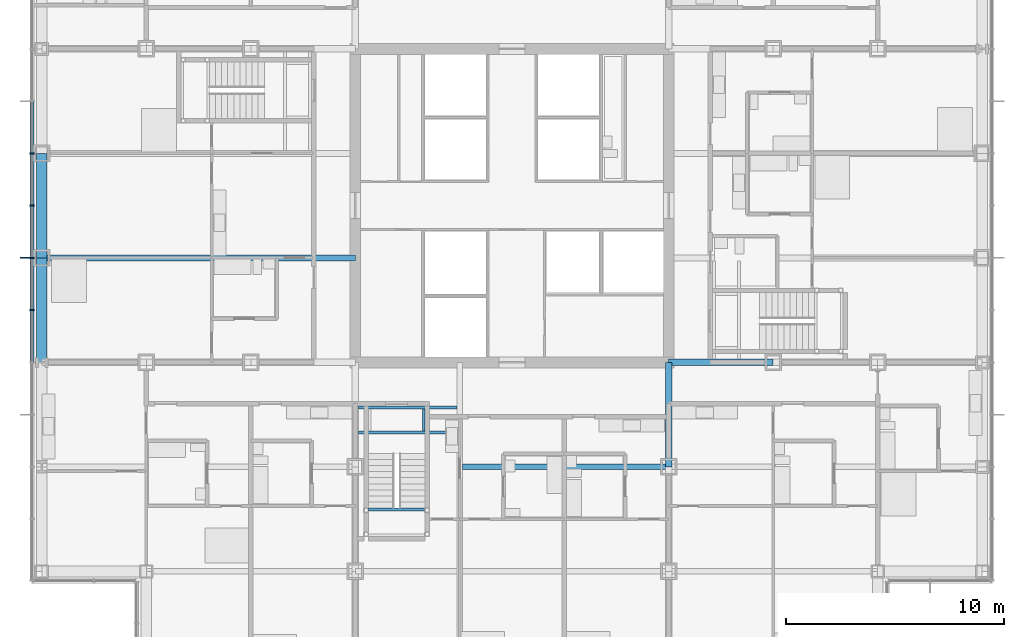
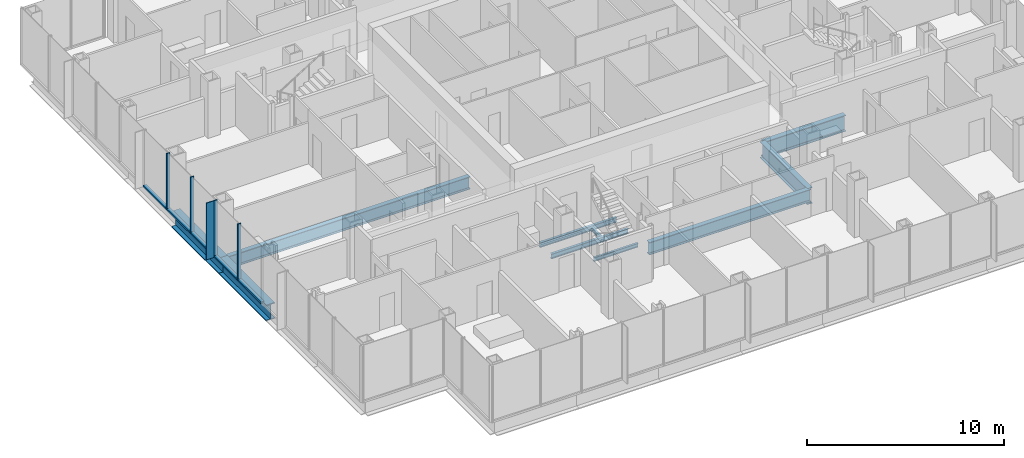
# One storey, part 7 of 21: 10 beams, 10 members, 1 element without a shape of its own.
"""IFC4 building model written with IfcOpenShell, lengths in metres."""

from ifc_helpers import new_model, si_unit, direction, frame, origin, origin_2d, place, context, subcontext, project, spatial, rectangle, i_section, extrude, material, material_profile, profile_set, type_object, element, aggregate, save


model = new_model("IFC4")

# Units and contexts
model_context = context("Model", 3, precision=1e-05, world=origin(), true_north=direction((0.0, 1.0)))
body_context = subcontext(model_context, "Body", "Model", "MODEL_VIEW")
ifc_project = project(units=[si_unit("LENGTHUNIT", "METRE"), si_unit("AREAUNIT", "SQUARE_METRE"), si_unit("VOLUMEUNIT", "CUBIC_METRE"), si_unit("PLANEANGLEUNIT", "RADIAN"), si_unit("MASSUNIT", "GRAM", prefix="KILO")], contexts=[model_context])

# Site, building, storey
site_placement = place(None, origin())
site = spatial("IfcSite", under=ifc_project, at=site_placement, CompositionType="ELEMENT")
building_placement = place(site_placement, origin())
building = spatial("IfcBuilding", under=site, at=building_placement, Name="Kvirike Care Tower", CompositionType="ELEMENT")
storey_placement = place(building_placement, frame((0.0, 0.0, 41.0)))
storey = spatial("IfcBuildingStorey", under=building, at=storey_placement, Name="L10", CompositionType="ELEMENT", Elevation=41.0)

# Curtain wall, members
ifc_material_1 = material(Name="Anodised aluminium stick system", Category="aluminium")
curtain_wall_type = type_object("IfcCurtainWallType", Name="CW-A STICK CURTAIN WALL", PredefinedType="NOTDEFINED", material=ifc_material_1)
curtain_wall_placement = place(storey_placement, origin())
curtain_wall = element("IfcCurtainWall", 1, at=curtain_wall_placement, inside=storey, type_object=curtain_wall_type, Name="Curtain wall L10 face 1", PredefinedType="NOTDEFINED")
ifc_material_2 = material(Name="Bronze anodised aluminium fin", Category="aluminium")
ifc_material_profile_1 = material_profile(ifc_material_2, rectangle(XDim=0.050048828125, YDim=0.449951171875, at=origin_2d()), Name="BRONZE FIN 450")
ifc_profile_set_1 = profile_set([ifc_material_profile_1], Name="Bronze anodised aluminium fin")
member_type_1 = type_object("IfcMemberType", Name="BRONZE FIN 450", PredefinedType="USERDEFINED", material=ifc_profile_set_1)
member_1_placement = place(storey_placement, frame((-0.77490234375, 33.60009765625, 0.0), z_axis=(0.0, 0.0, 1.0), x_axis=(0.0, -1.0, 0.0)))
member_1 = element("IfcMember", 2, at=member_1_placement, type_object=member_type_1, Name="Bronze fin L10 face 1.9", ObjectType="FIN", PredefinedType="USERDEFINED", context=body_context, shape_type="SweptSolid", body=[
    extrude(rectangle(XDim=0.050048828125, YDim=0.449951171875, at=origin_2d()), origin(), (0.0, 0.0, 1.0), 3.5),
])
ifc_material_3 = material(Name="Bronze anodised aluminium mullion", Category="aluminium")
ifc_material_profile_2 = material_profile(ifc_material_3, rectangle(XDim=0.06494140625, YDim=0.199951171875, at=origin_2d()), Name="CW-A MULLION 65x200")
ifc_profile_set_2 = profile_set([ifc_material_profile_2], Name="Bronze anodised aluminium mullion")
member_type_2 = type_object("IfcMemberType", Name="CW-A MULLION 65x200", PredefinedType="MULLION", material=ifc_profile_set_2)
member_2_placement = place(storey_placement, frame((-0.449951171875, 38.39990234375, 0.0), z_axis=(0.0, 0.0, 1.0), x_axis=(0.0, -1.0, 0.0)))
member_2 = element("IfcMember", 3, at=member_2_placement, type_object=member_type_2, Name="CW-A mullion L10 face 1.7", PredefinedType="MULLION", context=body_context, shape_type="SweptSolid", body=[
    extrude(rectangle(XDim=0.06494140625, YDim=0.199951171875, at=origin_2d()), origin(), (0.0, 0.0, 1.0), 3.5),
])
member_3_placement = place(storey_placement, frame((-0.449951171875, 36.0, 0.0), z_axis=(0.0, 0.0, 1.0), x_axis=(0.0, -1.0, 0.0)))
member_3 = element("IfcMember", 4, at=member_3_placement, type_object=member_type_2, Name="CW-A mullion L10 face 1.8", PredefinedType="MULLION", context=body_context, shape_type="SweptSolid", body=[
    extrude(rectangle(XDim=0.06494140625, YDim=0.199951171875, at=origin_2d()), origin(), (0.0, 0.0, 1.0), 3.5),
])
member_4_placement = place(storey_placement, frame((-0.449951171875, 33.60009765625, 0.0), z_axis=(0.0, 0.0, 1.0), x_axis=(0.0, -1.0, 0.0)))
member_4 = element("IfcMember", 5, at=member_4_placement, type_object=member_type_2, Name="CW-A mullion L10 face 1.9", PredefinedType="MULLION", context=body_context, shape_type="SweptSolid", body=[
    extrude(rectangle(XDim=0.06494140625, YDim=0.199951171875, at=origin_2d()), origin(), (0.0, 0.0, 1.0), 3.5),
])
member_5_placement = place(storey_placement, frame((-0.449951171875, 31.199951171875, 0.0), z_axis=(0.0, 0.0, 1.0), x_axis=(0.0, -1.0, 0.0)))
member_5 = element("IfcMember", 6, at=member_5_placement, type_object=member_type_2, Name="CW-A mullion L10 face 1.10", PredefinedType="MULLION", context=body_context, shape_type="SweptSolid", body=[
    extrude(rectangle(XDim=0.06494140625, YDim=0.199951171875, at=origin_2d()), origin(), (0.0, 0.0, 1.0), 3.5),
])
ifc_material_4 = material(Name="Bronze anodised aluminium transom", Category="aluminium")
ifc_material_profile_3 = material_profile(ifc_material_4, rectangle(XDim=0.199951171875, YDim=0.10009765625, at=origin_2d()), Name="CW-A TRANSOM 200x100")
ifc_profile_set_3 = profile_set([ifc_material_profile_3], Name="Bronze anodised aluminium transom")
member_type_3 = type_object("IfcMemberType", Name="CW-A TRANSOM 200x100", PredefinedType="USERDEFINED", material=ifc_profile_set_3)
member_6_placement = place(storey_placement, frame((-0.449951171875, 40.767578125, 0.050048828125), z_axis=(0.0, -1.0, 0.0), x_axis=(1.0, 0.0, 0.0)))
member_6 = element("IfcMember", 7, at=member_6_placement, type_object=member_type_3, Name="CW-A sill transom L10 face 1.6", ObjectType="TRANSOM", PredefinedType="USERDEFINED", context=body_context, shape_type="SweptSolid", body=[
    extrude(rectangle(XDim=0.199951171875, YDim=0.10009765625, at=origin_2d()), origin(), (0.0, 0.0, 1.0), 2.3349609375),
])
member_7_placement = place(storey_placement, frame((-0.449951171875, 38.367431640625, 0.050048828125), z_axis=(0.0, -1.0, 0.0), x_axis=(1.0, 0.0, 0.0)))
member_7 = element("IfcMember", 8, at=member_7_placement, type_object=member_type_3, Name="CW-A sill transom L10 face 1.7", ObjectType="TRANSOM", PredefinedType="USERDEFINED", context=body_context, shape_type="SweptSolid", body=[
    extrude(rectangle(XDim=0.199951171875, YDim=0.10009765625, at=origin_2d()), origin(), (0.0, 0.0, 1.0), 2.3349609375),
])
member_8_placement = place(storey_placement, frame((-0.449951171875, 35.967529296875, 0.050048828125), z_axis=(0.0, -1.0, 0.0), x_axis=(1.0, 0.0, 0.0)))
member_8 = element("IfcMember", 9, at=member_8_placement, type_object=member_type_3, Name="CW-A sill transom L10 face 1.8", ObjectType="TRANSOM", PredefinedType="USERDEFINED", context=body_context, shape_type="SweptSolid", body=[
    extrude(rectangle(XDim=0.199951171875, YDim=0.10009765625, at=origin_2d()), origin(), (0.0, 0.0, 1.0), 2.3349609375),
])
member_9_placement = place(storey_placement, frame((-0.449951171875, 33.5673828125, 0.050048828125), z_axis=(0.0, -1.0, 0.0), x_axis=(1.0, 0.0, 0.0)))
member_9 = element("IfcMember", 10, at=member_9_placement, type_object=member_type_3, Name="CW-A sill transom L10 face 1.9", ObjectType="TRANSOM", PredefinedType="USERDEFINED", context=body_context, shape_type="SweptSolid", body=[
    extrude(rectangle(XDim=0.199951171875, YDim=0.10009765625, at=origin_2d()), origin(), (0.0, 0.0, 1.0), 2.3349609375),
])
member_10_placement = place(storey_placement, frame((-0.449951171875, 31.16748046875, 0.050048828125), z_axis=(0.0, -1.0, 0.0), x_axis=(1.0, 0.0, 0.0)))
member_10 = element("IfcMember", 11, at=member_10_placement, type_object=member_type_3, Name="CW-A sill transom L10 face 1.10", ObjectType="TRANSOM", PredefinedType="USERDEFINED", context=body_context, shape_type="SweptSolid", body=[
    extrude(rectangle(XDim=0.199951171875, YDim=0.10009765625, at=origin_2d()), origin(), (0.0, 0.0, 1.0), 2.3349609375),
])
aggregate(curtain_wall, [member_2, member_3, member_4, member_1, member_5, member_6, member_7, member_8, member_9, member_10])

# Beams
ifc_material_5 = material(Name="Steel S355", Category="steel")
ifc_material_profile_4 = material_profile(ifc_material_5, i_section(OverallWidth=0.26806640625, OverallDepth=0.77001953125, WebThickness=0.015625, FlangeThickness=0.025390625, FilletRadius=0.01708984375, at=origin_2d()), Name="IPE 750x196")
ifc_profile_set_4 = profile_set([ifc_material_profile_4], Name="Steel S355")
beam_type_1 = type_object("IfcBeamType", Name="FLOOR BEAM IPE 750x196", PredefinedType="BEAM", material=ifc_profile_set_4)
beam_1_placement = place(storey_placement, frame((19.333984375, 24.0, -0.554931640625), z_axis=(1.0, 0.0, 0.0), x_axis=(0.0, 1.0, 0.0)))
element("IfcBeam", 12, at=beam_1_placement, inside=storey, type_object=beam_type_1, Name="Floor Beam F7-F9 L10", PredefinedType="BEAM", context=body_context, shape_type="SweptSolid", body=[
    extrude(i_section(OverallWidth=0.26806640625, OverallDepth=0.77001953125, WebThickness=0.015625, FlangeThickness=0.025390625, FilletRadius=0.01708984375, at=origin_2d()), origin(), (0.0, 0.0, 1.0), 9.466064453125),
])
beam_2_placement = place(storey_placement, frame((0.0, 33.60009765625, -0.554931640625), z_axis=(1.0, 0.0, 0.0), x_axis=(0.0, 1.0, 0.0)))
element("IfcBeam", 13, at=beam_2_placement, inside=storey, type_object=beam_type_1, Name="Floor Beam H3-H6 L10", PredefinedType="BEAM", context=body_context, shape_type="SweptSolid", body=[
    extrude(i_section(OverallWidth=0.26806640625, OverallDepth=0.77001953125, WebThickness=0.015625, FlangeThickness=0.025390625, FilletRadius=0.01708984375, at=origin_2d()), origin(), (0.0, 0.0, 1.0), 14.39990234375),
])
ifc_material_6 = material(Name="Steel S355", Category="steel")
ifc_material_profile_5 = material_profile(ifc_material_6, i_section(OverallWidth=0.300048828125, OverallDepth=1.0, WebThickness=0.01904296875, FlangeThickness=0.035888671875, FilletRadius=0.030029296875, at=origin_2d()), Name="HE 1000 B")
ifc_profile_set_5 = profile_set([ifc_material_profile_5], Name="Steel S355")
beam_type_2 = type_object("IfcBeamType", Name="FRAME BEAM HE 1000 B", PredefinedType="BEAM", material=ifc_profile_set_5)
for number, where, z_axis, x_axis, name in (
    (14, (28.800048828125, 28.800048828125, -0.669921875), (1.0, 0.0, 0.0), (0.0, 1.0, 0.0), "Frame Beam G9-G10 L10"),
    (15, (28.800048828125, 24.0, -0.669921875), (0.0, 1.0, 0.0), (-1.0, 0.0, 0.0), "Frame Beam F9-G9 L10"),
):
    element("IfcBeam", number, at=place(storey_placement, frame(where, z_axis=z_axis, x_axis=x_axis)), inside=storey, type_object=beam_type_2, Name=name, PredefinedType="BEAM", context=body_context, shape_type="SweptSolid", body=[
        extrude(i_section(OverallWidth=0.300048828125, OverallDepth=1.0, WebThickness=0.01904296875, FlangeThickness=0.035888671875, FilletRadius=0.030029296875, at=origin_2d()), origin(), (0.0, 0.0, 1.0), 4.800048828125),
    ])
ifc_material_7 = material(Name="Steel S355", Category="steel")
ifc_material_profile_6 = material_profile(ifc_material_7, i_section(OverallWidth=0.5, OverallDepth=1.0, WebThickness=0.030029296875, FlangeThickness=0.06005859375, at=origin_2d()), Name="PG 1000x500x30x60")
ifc_profile_set_6 = profile_set([ifc_material_profile_6], Name="Steel S355")
beam_type_3 = type_object("IfcBeamType", Name="SPANDREL PG 1000x500x30x60", PredefinedType="SPANDREL", material=ifc_profile_set_6)
beam_3_placement = place(storey_placement, frame((0.0, 28.800048828125, -0.669921875), z_axis=(0.0, 1.0, 0.0), x_axis=(-1.0, 0.0, 0.0)))
element("IfcBeam", 16, at=beam_3_placement, inside=storey, type_object=beam_type_3, Name="Spandrel G3-H3 L10", PredefinedType="SPANDREL", context=body_context, shape_type="SweptSolid", body=[
    extrude(i_section(OverallWidth=0.5, OverallDepth=1.0, WebThickness=0.030029296875, FlangeThickness=0.06005859375, at=origin_2d()), origin(), (0.0, 0.0, 1.0), 4.800048828125),
])
beam_4_placement = place(storey_placement, frame((0.0, 33.60009765625, -0.669921875), z_axis=(0.0, 1.0, 0.0), x_axis=(-1.0, 0.0, 0.0)))
element("IfcBeam", 17, at=beam_4_placement, inside=storey, type_object=beam_type_3, Name="Spandrel H3-J3 L10", PredefinedType="SPANDREL", context=body_context, shape_type="SweptSolid", body=[
    extrude(i_section(OverallWidth=0.5, OverallDepth=1.0, WebThickness=0.030029296875, FlangeThickness=0.06005859375, at=origin_2d()), origin(), (0.0, 0.0, 1.0), 4.7998046875),
])
ifc_material_8 = material(Name="Steel S355", Category="steel")
ifc_material_profile_7 = material_profile(ifc_material_8, i_section(OverallWidth=0.1201171875, OverallDepth=0.239990234375, WebThickness=0.006103515625, FlangeThickness=0.009765625, FilletRadius=0.014892578125, at=origin_2d()), Name="IPE 240")
ifc_profile_set_7 = profile_set([ifc_material_profile_7], Name="Steel S355")
beam_type_4 = type_object("IfcBeamType", Name="STAIR LANDING BEAM IPE 240", PredefinedType="BEAM", material=ifc_profile_set_7)
beam_5_placement = place(storey_placement, frame((15.0, 22.0400390625, 1.429931640625), z_axis=(1.0, 0.0, 0.0), x_axis=(0.0, 1.0, 0.0)))
element("IfcBeam", 18, at=beam_5_placement, inside=storey, type_object=beam_type_4, Name="Stair 5 landing beam front L10", PredefinedType="BEAM", context=body_context, shape_type="SweptSolid", body=[
    extrude(i_section(OverallWidth=0.1201171875, OverallDepth=0.239990234375, WebThickness=0.006103515625, FlangeThickness=0.009765625, FilletRadius=0.014892578125, at=origin_2d()), origin(), (0.0, 0.0, 1.0), 2.60009765625),
])
beam_6_placement = place(storey_placement, frame((17.5400390625, 25.64990234375, -0.320068359375), z_axis=(0.0, 1.0, 0.0), x_axis=(-1.0, 0.0, 0.0)))
element("IfcBeam", 19, at=beam_6_placement, inside=storey, type_object=beam_type_4, Name="Stair 5 landing edge beam 2 L10", PredefinedType="BEAM", context=body_context, shape_type="SweptSolid", body=[
    extrude(i_section(OverallWidth=0.1201171875, OverallDepth=0.239990234375, WebThickness=0.006103515625, FlangeThickness=0.009765625, FilletRadius=0.014892578125, at=origin_2d()), origin(), (0.0, 0.0, 1.0), 1.0),
])
ifc_material_9 = material(Name="Steel S355", Category="steel")
ifc_material_profile_8 = material_profile(ifc_material_9, i_section(OverallWidth=0.14990234375, OverallDepth=0.300048828125, WebThickness=0.007080078125, FlangeThickness=0.0107421875, FilletRadius=0.014892578125, at=origin_2d()), Name="IPE 300")
ifc_profile_set_8 = profile_set([ifc_material_profile_8], Name="Steel S355")
beam_type_5 = type_object("IfcBeamType", Name="STAIR TRIMMER IPE 300", PredefinedType="BEAM", material=ifc_profile_set_8)
for number, where, z_axis, x_axis, name in (
    (20, (14.550048828125, 25.574951171875, -0.35009765625), (1.0, 0.0, 0.0), (0.0, 1.0, 0.0), "Stair 5 trimmer 1 L10"),
    (21, (14.550048828125, 26.72509765625, -0.35009765625), (1.0, 0.0, 0.0), (0.0, 1.0, 0.0), "Stair 5 trimmer 2 L10"),
):
    element("IfcBeam", number, at=place(storey_placement, frame(where, z_axis=z_axis, x_axis=x_axis)), inside=storey, type_object=beam_type_5, Name=name, PredefinedType="BEAM", context=body_context, shape_type="SweptSolid", body=[
        extrude(i_section(OverallWidth=0.14990234375, OverallDepth=0.300048828125, WebThickness=0.007080078125, FlangeThickness=0.0107421875, FilletRadius=0.014892578125, at=origin_2d()), origin(), (0.0, 0.0, 1.0), 4.515869140625),
    ])

save(model, "model.ifc")
